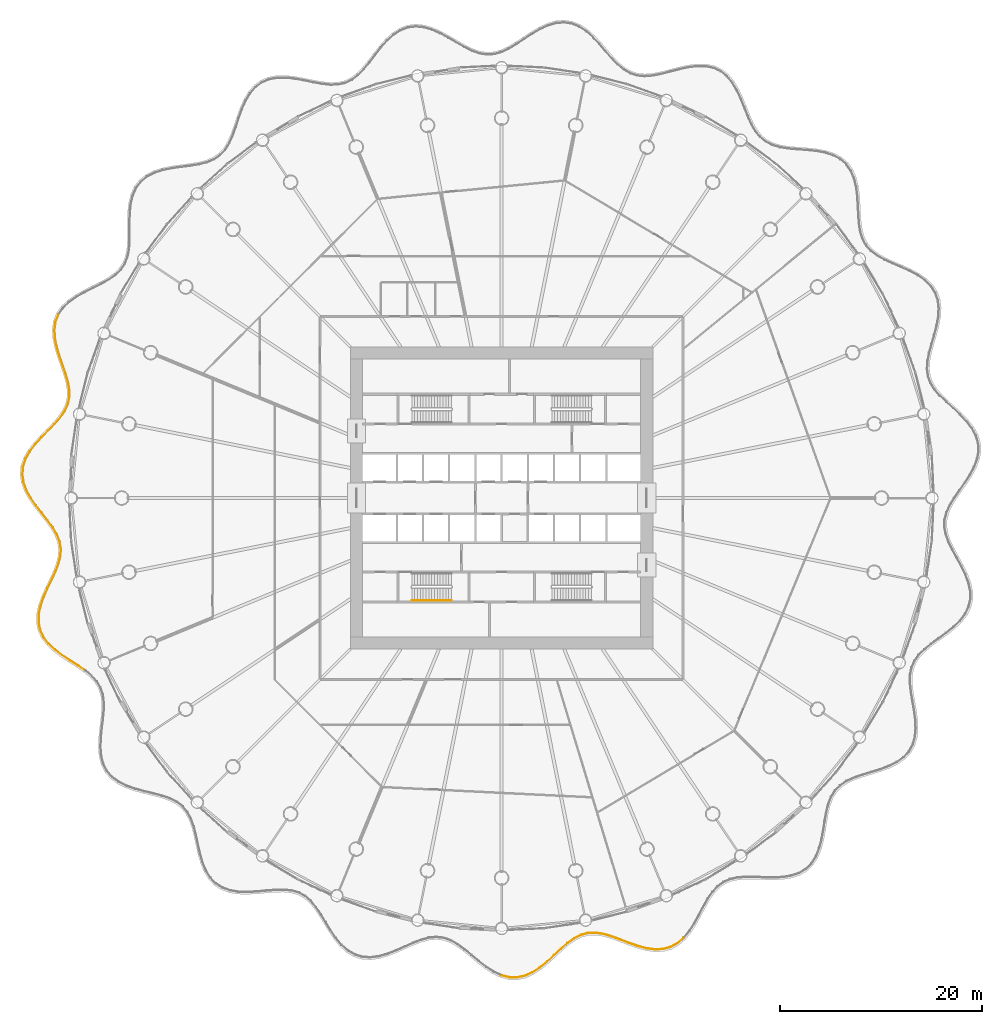
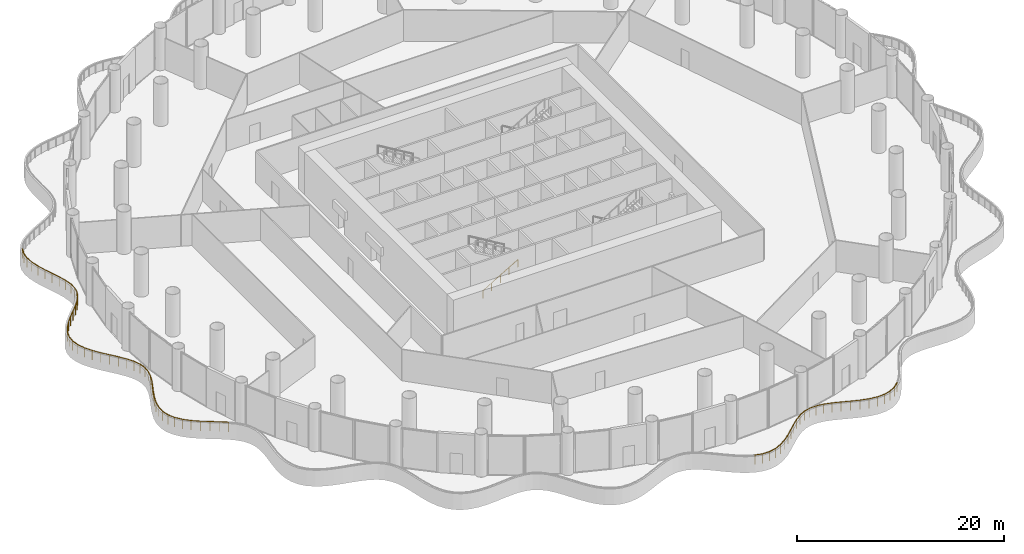
# One storey, part 29 of 35: 4 railings.
"""IFC4 building model written with IfcOpenShell, lengths in metres."""

from ifc_helpers import new_model, si_unit, direction, frame, origin, origin_2d, place, context, subcontext, project, spatial, circle, extrude, material, type_object, element, save


model = new_model("IFC4")

# Units and contexts
model_context = context("Model", 3, precision=1e-05, world=origin(), true_north=direction((0.0, 1.0)))
body_context = subcontext(model_context, "Body", "Model", "MODEL_VIEW")
ifc_project = project(units=[si_unit("LENGTHUNIT", "METRE"), si_unit("AREAUNIT", "SQUARE_METRE"), si_unit("VOLUMEUNIT", "CUBIC_METRE"), si_unit("PLANEANGLEUNIT", "RADIAN"), si_unit("MASSUNIT", "GRAM", prefix="KILO")], contexts=[model_context])

# Site, building, storey
site_placement = place(None, origin())
site = spatial("IfcSite", under=ifc_project, at=site_placement, CompositionType="ELEMENT")
building_placement = place(site_placement, origin())
building = spatial("IfcBuilding", under=site, at=building_placement, Name="Corvane Civic Tower", CompositionType="ELEMENT")
storey_placement = place(building_placement, frame((0.0, 0.0, 27.0)))
storey = spatial("IfcBuildingStorey", under=building, at=storey_placement, Name="L05", CompositionType="ELEMENT", Elevation=27.0)

# Railings
ifc_material_1 = material(Name="Steel ASTM A572 Gr 50", Category="steel")
railing_type_1 = type_object("IfcRailingType", Name="PODIUM-RL-GUARD-1100", PredefinedType="GUARDRAIL", material=ifc_material_1)
railing_1_placement = place(storey_placement, frame((-43.980712890625, 18.190185546875, 0.0)))
element("IfcRailing", 1, at=railing_1_placement, inside=storey, type_object=railing_type_1, Name="L05 ribbon guard 4", PredefinedType="GUARDRAIL", context=body_context, shape_type="SweptSolid", body=[
    extrude(circle(Radius=0.02392578125, at=origin_2d()), frame((0.0, 0.0, 1.076171875), z_axis=(-0.358675095496, -0.933462466236, 0.0), x_axis=(0.933462466236, -0.358675095496, 0.0)), (0.0, 0.0, 1.0), 0.75341796875),
    extrude(circle(Radius=0.02392578125, at=origin_2d()), frame((-0.270263671875, -0.703369140625, 1.076171875), z_axis=(-0.136068290058, -0.9906994602, 0.0), x_axis=(0.9906994602, -0.136068290058, 0.0)), (0.0, 0.0, 1.0), 0.79833984375),
    extrude(circle(Radius=0.02392578125, at=origin_2d()), frame((-0.37890625, -1.494384765625, 1.076171875), z_axis=(0.057957564445, -0.998319047561, 0.0), x_axis=(0.998319047561, 0.057957564445, 0.0)), (0.0, 0.0, 1.0), 0.842529296875),
    extrude(circle(Radius=0.02392578125, at=origin_2d()), frame((-0.330078125, -2.33544921875, 1.076171875), z_axis=(0.199589877807, -0.979879523552, 0.0), x_axis=(0.979879523552, 0.199589877807, 0.0)), (0.0, 0.0, 1.0), 0.8916015625),
    extrude(circle(Radius=0.02392578125, at=origin_2d()), frame((-0.152099609375, -3.209228515625, 1.076171875), z_axis=(0.288653579116, -0.957433606713, 0.0), x_axis=(0.957433606713, 0.288653579116, 0.0)), (0.0, 0.0, 1.0), 0.926025390625),
    extrude(circle(Radius=0.02392578125, at=origin_2d()), frame((0.115234375, -4.095947265625, 1.076171875), z_axis=(0.330466878924, -0.943817589333, 0.0), x_axis=(0.943817589333, 0.330466878924, 0.0)), (0.0, 0.0, 1.0), 0.933837890625),
    extrude(circle(Radius=0.02392578125, at=origin_2d()), frame((0.423828125, -4.977294921875, 1.076171875), z_axis=(0.328031635624, -0.944666738077, 0.0), x_axis=(0.944666738077, 0.328031635624, 0.0)), (0.0, 0.0, 1.0), 0.91015625),
    extrude(circle(Radius=0.02392578125, at=origin_2d()), frame((0.722412109375, -5.837158203125, 1.076171875), z_axis=(0.27772020154, -0.96066200594, 0.0), x_axis=(0.96066200594, 0.27772020154, 0.0)), (0.0, 0.0, 1.0), 0.85986328125),
    extrude(circle(Radius=0.02392578125, at=origin_2d()), frame((0.961181640625, -6.6630859375, 1.076171875), z_axis=(0.170060830048, -0.98543356655, 0.0), x_axis=(0.98543356655, 0.170060830048, 0.0)), (0.0, 0.0, 1.0), 0.796875),
    extrude(circle(Radius=0.02392578125, at=origin_2d()), frame((1.0966796875, -7.4482421875, 1.076171875), z_axis=(0.000328623052, -0.999999946003, 0.0), x_axis=(0.999999946003, 0.000328623052, 0.0)), (0.0, 0.0, 1.0), 0.742919921875),
    extrude(circle(Radius=0.02392578125, at=origin_2d()), frame((1.096923828125, -8.191162109375, 1.076171875), z_axis=(-0.212837667857, -0.977087573937, 0.0), x_axis=(0.977087573937, -0.212837667857, 0.0)), (0.0, 0.0, 1.0), 0.720458984375),
    extrude(circle(Radius=0.02392578125, at=origin_2d()), frame((0.943603515625, -8.89501953125, 1.076171875), z_axis=(-0.41757371867, -0.908643048439, 0.0), x_axis=(0.908643048439, -0.41757371867, 0.0)), (0.0, 0.0, 1.0), 0.74072265625),
    extrude(circle(Radius=0.02392578125, at=origin_2d()), frame((0.63427734375, -9.568115234375, 1.076171875), z_axis=(-0.56832961882, -0.822800974946, 0.0), x_axis=(0.822800974946, -0.56832961882, 0.0)), (0.0, 0.0, 1.0), 0.79345703125),
    extrude(circle(Radius=0.02392578125, at=origin_2d()), frame((0.183349609375, -10.220947265625, 1.076171875), z_axis=(-0.65775776046, -0.75322953245, 0.0), x_axis=(0.75322953245, -0.65775776046, 0.0)), (0.0, 0.0, 1.0), 0.856689453125),
    extrude(circle(Radius=0.02392578125, at=origin_2d()), frame((-0.380126953125, -10.8662109375, 1.076171875), z_axis=(-0.698857923336, -0.715260514072, 0.0), x_axis=(0.715260514072, -0.698857923336, 0.0)), (0.0, 0.0, 1.0), 0.907958984375),
    extrude(circle(Radius=0.02392578125, at=origin_2d()), frame((-1.0146484375, -11.515625, 1.076171875), z_axis=(-0.702384147199, -0.711798082158, 0.0), x_axis=(0.711798082158, -0.702384147199, 0.0)), (0.0, 0.0, 1.0), 0.93359375),
    extrude(circle(Radius=0.02392578125, at=origin_2d()), frame((-1.67041015625, -12.18017578125, 1.076171875), z_axis=(-0.672187761022, -0.740380722285, 0.0), x_axis=(0.740380722285, -0.672187761022, 0.0)), (0.0, 0.0, 1.0), 0.92724609375),
    extrude(circle(Radius=0.02392578125, at=origin_2d()), frame((-2.293701171875, -12.86669921875, 1.076171875), z_axis=(-0.603621021623, -0.797271385574, 0.0), x_axis=(0.797271385574, -0.603621021623, 0.0)), (0.0, 0.0, 1.0), 0.893798828125),
    extrude(circle(Radius=0.02392578125, at=origin_2d()), frame((-2.833251953125, -13.579345703125, 1.076171875), z_axis=(-0.486182441808, -0.873857330047, 0.0), x_axis=(0.873857330047, -0.486182441808, 0.0)), (0.0, 0.0, 1.0), 0.84521484375),
    extrude(circle(Radius=0.02392578125, at=origin_2d()), frame((-3.244140625, -14.31787109375, 1.076171875), z_axis=(-0.310823647383, -0.95046760083, 0.0), x_axis=(0.95046760083, -0.310823647383, 0.0)), (0.0, 0.0, 1.0), 0.80029296875),
    extrude(circle(Radius=0.02392578125, at=origin_2d()), frame((-3.492919921875, -15.07861328125, 1.076171875), z_axis=(-0.086183330017, -0.996279294991, 0.0), x_axis=(0.996279294991, -0.086183330017, 0.0)), (0.0, 0.0, 1.0), 0.779052734375),
    extrude(circle(Radius=0.02392578125, at=origin_2d()), frame((-3.56005859375, -15.854736328125, 1.076171875), z_axis=(0.147420434322, -0.98907391814, 0.0), x_axis=(0.98907391814, 0.147420434322, 0.0)), (0.0, 0.0, 1.0), 0.79150390625),
    extrude(circle(Radius=0.02392578125, at=origin_2d()), frame((-3.443359375, -16.6376953125, 1.076171875), z_axis=(0.344427050262, -0.938813084191, 0.0), x_axis=(0.938813084191, 0.344427050262, 0.0)), (0.0, 0.0, 1.0), 0.832275390625),
    extrude(circle(Radius=0.02392578125, at=origin_2d()), frame((-3.15673828125, -17.4189453125, 1.076171875), z_axis=(0.484771582084, -0.874640790956, 0.0), x_axis=(0.874640790956, 0.484771582084, 0.0)), (0.0, 0.0, 1.0), 0.856689453125),
    extrude(circle(Radius=0.02099609375, at=origin_2d()), origin(), (0.0, 0.0, 1.0), 1.052001953125),
    extrude(circle(Radius=0.02099609375, at=origin_2d()), frame((-0.270263671875, -0.703369140625, 0.0)), (0.0, 0.0, 1.0), 1.052001953125),
    extrude(circle(Radius=0.02099609375, at=origin_2d()), frame((-0.37890625, -1.494384765625, 0.0)), (0.0, 0.0, 1.0), 1.052001953125),
    extrude(circle(Radius=0.02099609375, at=origin_2d()), frame((-0.330078125, -2.33544921875, 0.0)), (0.0, 0.0, 1.0), 1.052001953125),
    extrude(circle(Radius=0.02099609375, at=origin_2d()), frame((-0.152099609375, -3.209228515625, 0.0)), (0.0, 0.0, 1.0), 1.052001953125),
    extrude(circle(Radius=0.02099609375, at=origin_2d()), frame((0.115234375, -4.095947265625, 0.0)), (0.0, 0.0, 1.0), 1.052001953125),
    extrude(circle(Radius=0.02099609375, at=origin_2d()), frame((0.423828125, -4.977294921875, 0.0)), (0.0, 0.0, 1.0), 1.052001953125),
    extrude(circle(Radius=0.02099609375, at=origin_2d()), frame((0.722412109375, -5.837158203125, 0.0)), (0.0, 0.0, 1.0), 1.052001953125),
    extrude(circle(Radius=0.02099609375, at=origin_2d()), frame((0.961181640625, -6.6630859375, 0.0)), (0.0, 0.0, 1.0), 1.052001953125),
    extrude(circle(Radius=0.02099609375, at=origin_2d()), frame((1.0966796875, -7.4482421875, 0.0)), (0.0, 0.0, 1.0), 1.052001953125),
    extrude(circle(Radius=0.02099609375, at=origin_2d()), frame((1.096923828125, -8.191162109375, 0.0)), (0.0, 0.0, 1.0), 1.052001953125),
    extrude(circle(Radius=0.02099609375, at=origin_2d()), frame((0.943603515625, -8.89501953125, 0.0)), (0.0, 0.0, 1.0), 1.052001953125),
    extrude(circle(Radius=0.02099609375, at=origin_2d()), frame((0.63427734375, -9.568115234375, 0.0)), (0.0, 0.0, 1.0), 1.052001953125),
    extrude(circle(Radius=0.02099609375, at=origin_2d()), frame((0.183349609375, -10.220947265625, 0.0)), (0.0, 0.0, 1.0), 1.052001953125),
    extrude(circle(Radius=0.02099609375, at=origin_2d()), frame((-0.380126953125, -10.8662109375, 0.0)), (0.0, 0.0, 1.0), 1.052001953125),
    extrude(circle(Radius=0.02099609375, at=origin_2d()), frame((-1.0146484375, -11.515625, 0.0)), (0.0, 0.0, 1.0), 1.052001953125),
    extrude(circle(Radius=0.02099609375, at=origin_2d()), frame((-1.67041015625, -12.18017578125, 0.0)), (0.0, 0.0, 1.0), 1.052001953125),
    extrude(circle(Radius=0.02099609375, at=origin_2d()), frame((-2.293701171875, -12.86669921875, 0.0)), (0.0, 0.0, 1.0), 1.052001953125),
    extrude(circle(Radius=0.02099609375, at=origin_2d()), frame((-2.833251953125, -13.579345703125, 0.0)), (0.0, 0.0, 1.0), 1.052001953125),
    extrude(circle(Radius=0.02099609375, at=origin_2d()), frame((-3.244140625, -14.31787109375, 0.0)), (0.0, 0.0, 1.0), 1.052001953125),
    extrude(circle(Radius=0.02099609375, at=origin_2d()), frame((-3.492919921875, -15.07861328125, 0.0)), (0.0, 0.0, 1.0), 1.052001953125),
    extrude(circle(Radius=0.02099609375, at=origin_2d()), frame((-3.56005859375, -15.854736328125, 0.0)), (0.0, 0.0, 1.0), 1.052001953125),
    extrude(circle(Radius=0.02099609375, at=origin_2d()), frame((-3.443359375, -16.6376953125, 0.0)), (0.0, 0.0, 1.0), 1.052001953125),
    extrude(circle(Radius=0.02099609375, at=origin_2d()), frame((-3.15673828125, -17.4189453125, 0.0)), (0.0, 0.0, 1.0), 1.052001953125),
    extrude(circle(Radius=0.02099609375, at=origin_2d()), frame((-2.741455078125, -18.168212890625, 0.0)), (0.0, 0.0, 1.0), 1.052001953125),
])
railing_2_placement = place(storey_placement, frame((-46.69580078125, -0.0205078125, 0.0)))
element("IfcRailing", 2, at=railing_2_placement, inside=storey, type_object=railing_type_1, Name="L05 ribbon guard 5", PredefinedType="GUARDRAIL", context=body_context, shape_type="SweptSolid", body=[
    extrude(circle(Radius=0.02392578125, at=origin_2d()), frame((0.0, 0.0, 1.076171875), z_axis=(0.571375795207, -0.820688552772, 0.0), x_axis=(0.820688552772, 0.571375795207, 0.0)), (0.0, 0.0, 1.0), 0.89599609375),
    extrude(circle(Radius=0.02392578125, at=origin_2d()), frame((0.511962890625, -0.7353515625, 1.076171875), z_axis=(0.614771968679, -0.788704904592, 0.0), x_axis=(0.788704904592, 0.614771968679, 0.0)), (0.0, 0.0, 1.0), 0.934814453125),
    extrude(circle(Radius=0.02392578125, at=origin_2d()), frame((1.086669921875, -1.47265625, 1.076171875), z_axis=(0.620532538307, -0.784180699139, 0.0), x_axis=(0.784180699139, 0.620532538307, 0.0)), (0.0, 0.0, 1.0), 0.91748046875),
    extrude(circle(Radius=0.02392578125, at=origin_2d()), frame((1.656005859375, -2.192138671875, 1.076171875), z_axis=(0.587339096763, -0.809340957455, 0.0), x_axis=(0.809340957455, 0.587339096763, 0.0)), (0.0, 0.0, 1.0), 0.8720703125),
    extrude(circle(Radius=0.02392578125, at=origin_2d()), frame((2.168212890625, -2.89794921875, 1.076171875), z_axis=(0.505649896337, -0.862738768304, 0.0), x_axis=(0.862738768304, 0.505649896337, 0.0)), (0.0, 0.0, 1.0), 0.810302734375),
    extrude(circle(Radius=0.02392578125, at=origin_2d()), frame((2.577880859375, -3.596923828125, 1.076171875), z_axis=(0.362869121859, -0.931840115257, 0.0), x_axis=(0.931840115257, 0.362869121859, 0.0)), (0.0, 0.0, 1.0), 0.752197265625),
    extrude(circle(Radius=0.02392578125, at=origin_2d()), frame((2.850830078125, -4.2978515625, 1.076171875), z_axis=(0.162698350099, -0.986675857045, 0.0), x_axis=(0.986675857045, 0.162698350099, 0.0)), (0.0, 0.0, 1.0), 0.7216796875),
    extrude(circle(Radius=0.02392578125, at=origin_2d()), frame((2.96826171875, -5.010009765625, 1.076171875), z_axis=(-0.056945469186, -0.998377290176, 0.0), x_axis=(0.998377290176, -0.056945469186, 0.0)), (0.0, 0.0, 1.0), 0.733154296875),
    extrude(circle(Radius=0.02392578125, at=origin_2d()), frame((2.926513671875, -5.741943359375, 1.076171875), z_axis=(-0.239885475498, -0.970801194192, 0.0), x_axis=(0.970801194192, -0.239885475498, 0.0)), (0.0, 0.0, 1.0), 0.780517578125),
    extrude(circle(Radius=0.02392578125, at=origin_2d()), frame((2.7392578125, -6.499755859375, 1.076171875), z_axis=(-0.359987220664, -0.93295723426, 0.0), x_axis=(0.93295723426, -0.359987220664, 0.0)), (0.0, 0.0, 1.0), 0.84375),
    extrude(circle(Radius=0.02392578125, at=origin_2d()), frame((2.435546875, -7.286865234375, 1.076171875), z_axis=(-0.421948777942, -0.906619671524, 0.0), x_axis=(0.906619671524, -0.421948777942, 0.0)), (0.0, 0.0, 1.0), 0.899169921875),
    extrude(circle(Radius=0.02392578125, at=origin_2d()), frame((2.05615234375, -8.10205078125, 1.076171875), z_axis=(-0.435842110154, -0.900023141378, 0.0), x_axis=(0.900023141378, -0.435842110154, 0.0)), (0.0, 0.0, 1.0), 0.930419921875),
    extrude(circle(Radius=0.02392578125, at=origin_2d()), frame((1.650634765625, -8.939453125, 1.076171875), z_axis=(-0.406819340059, -0.913508634088, 0.0), x_axis=(0.913508634088, -0.406819340059, 0.0)), (0.0, 0.0, 1.0), 0.931396484375),
    extrude(circle(Radius=0.02392578125, at=origin_2d()), frame((1.271728515625, -9.790283203125, 1.076171875), z_axis=(-0.333782049108, -0.942650276451, 0.0), x_axis=(0.942650276451, -0.333782049108, 0.0)), (0.0, 0.0, 1.0), 0.902587890625),
    extrude(circle(Radius=0.02392578125, at=origin_2d()), frame((0.970458984375, -10.64111328125, 1.076171875), z_axis=(-0.209373242359, -0.977835796739, 0.0), x_axis=(0.977835796739, -0.209373242359, 0.0)), (0.0, 0.0, 1.0), 0.85595703125),
    extrude(circle(Radius=0.02392578125, at=origin_2d()), frame((0.791259765625, -11.47802734375, 1.076171875), z_axis=(-0.029603218317, -0.999561728692, 0.0), x_axis=(0.999561728692, -0.029603218317, 0.0)), (0.0, 0.0, 1.0), 0.80810546875),
    extrude(circle(Radius=0.02392578125, at=origin_2d()), frame((0.767333984375, -12.285888671875, 1.076171875), z_axis=(0.192928093659, -0.981212897733, 0.0), x_axis=(0.981212897733, 0.192928093659, 0.0)), (0.0, 0.0, 1.0), 0.78076171875),
    extrude(circle(Radius=0.02392578125, at=origin_2d()), frame((0.91796875, -13.052001953125, 1.076171875), z_axis=(0.417659549291, -0.908603599424, 0.0), x_axis=(0.908603599424, 0.417659549291, 0.0)), (0.0, 0.0, 1.0), 0.7861328125),
    extrude(circle(Radius=0.02392578125, at=origin_2d()), frame((1.246337890625, -13.766357421875, 1.076171875), z_axis=(0.599762443872, -0.800178111998, 0.0), x_axis=(0.800178111998, 0.599762443872, 0.0)), (0.0, 0.0, 1.0), 0.822265625),
    extrude(circle(Radius=0.02392578125, at=origin_2d()), frame((1.739501953125, -14.42431640625, 1.076171875), z_axis=(0.723304663882, -0.690529045882, 0.0), x_axis=(0.690529045882, 0.723304663882, 0.0)), (0.0, 0.0, 1.0), 0.87158203125),
    extrude(circle(Radius=0.02392578125, at=origin_2d()), frame((2.369873046875, -15.026123046875, 1.076171875), z_axis=(0.796655807084, -0.604433226286, 0.0), x_axis=(0.604433226286, 0.796655807084, 0.0)), (0.0, 0.0, 1.0), 0.91455078125),
    extrude(circle(Radius=0.02392578125, at=origin_2d()), frame((3.098388671875, -15.578857421875, 1.076171875), z_axis=(0.83337465596, -0.552708497133, 0.0), x_axis=(0.552708497133, 0.83337465596, 0.0)), (0.0, 0.0, 1.0), 0.934326171875),
    extrude(circle(Radius=0.02392578125, at=origin_2d()), frame((3.876953125, -16.09521484375, 1.076171875), z_axis=(0.842822766724, -0.53819121499, 0.0), x_axis=(0.53819121499, 0.842822766724, 0.0)), (0.0, 0.0, 1.0), 0.924072265625),
    extrude(circle(Radius=0.02392578125, at=origin_2d()), frame((4.65576171875, -16.592529296875, 1.076171875), z_axis=(0.82573958795, -0.564051533898, 0.0), x_axis=(0.564051533898, 0.82573958795, 0.0)), (0.0, 0.0, 1.0), 0.8583984375),
    extrude(circle(Radius=0.02099609375, at=origin_2d()), origin(), (0.0, 0.0, 1.0), 1.052001953125),
    extrude(circle(Radius=0.02099609375, at=origin_2d()), frame((0.511962890625, -0.7353515625, 0.0)), (0.0, 0.0, 1.0), 1.052001953125),
    extrude(circle(Radius=0.02099609375, at=origin_2d()), frame((1.086669921875, -1.47265625, 0.0)), (0.0, 0.0, 1.0), 1.052001953125),
    extrude(circle(Radius=0.02099609375, at=origin_2d()), frame((1.656005859375, -2.192138671875, 0.0)), (0.0, 0.0, 1.0), 1.052001953125),
    extrude(circle(Radius=0.02099609375, at=origin_2d()), frame((2.168212890625, -2.89794921875, 0.0)), (0.0, 0.0, 1.0), 1.052001953125),
    extrude(circle(Radius=0.02099609375, at=origin_2d()), frame((2.577880859375, -3.596923828125, 0.0)), (0.0, 0.0, 1.0), 1.052001953125),
    extrude(circle(Radius=0.02099609375, at=origin_2d()), frame((2.850830078125, -4.2978515625, 0.0)), (0.0, 0.0, 1.0), 1.052001953125),
    extrude(circle(Radius=0.02099609375, at=origin_2d()), frame((2.96826171875, -5.010009765625, 0.0)), (0.0, 0.0, 1.0), 1.052001953125),
    extrude(circle(Radius=0.02099609375, at=origin_2d()), frame((2.926513671875, -5.741943359375, 0.0)), (0.0, 0.0, 1.0), 1.052001953125),
    extrude(circle(Radius=0.02099609375, at=origin_2d()), frame((2.7392578125, -6.499755859375, 0.0)), (0.0, 0.0, 1.0), 1.052001953125),
    extrude(circle(Radius=0.02099609375, at=origin_2d()), frame((2.435546875, -7.286865234375, 0.0)), (0.0, 0.0, 1.0), 1.052001953125),
    extrude(circle(Radius=0.02099609375, at=origin_2d()), frame((2.05615234375, -8.10205078125, 0.0)), (0.0, 0.0, 1.0), 1.052001953125),
    extrude(circle(Radius=0.02099609375, at=origin_2d()), frame((1.650634765625, -8.939453125, 0.0)), (0.0, 0.0, 1.0), 1.052001953125),
    extrude(circle(Radius=0.02099609375, at=origin_2d()), frame((1.271728515625, -9.790283203125, 0.0)), (0.0, 0.0, 1.0), 1.052001953125),
    extrude(circle(Radius=0.02099609375, at=origin_2d()), frame((0.970458984375, -10.64111328125, 0.0)), (0.0, 0.0, 1.0), 1.052001953125),
    extrude(circle(Radius=0.02099609375, at=origin_2d()), frame((0.791259765625, -11.47802734375, 0.0)), (0.0, 0.0, 1.0), 1.052001953125),
    extrude(circle(Radius=0.02099609375, at=origin_2d()), frame((0.767333984375, -12.285888671875, 0.0)), (0.0, 0.0, 1.0), 1.052001953125),
    extrude(circle(Radius=0.02099609375, at=origin_2d()), frame((0.91796875, -13.052001953125, 0.0)), (0.0, 0.0, 1.0), 1.052001953125),
    extrude(circle(Radius=0.02099609375, at=origin_2d()), frame((1.246337890625, -13.766357421875, 0.0)), (0.0, 0.0, 1.0), 1.052001953125),
    extrude(circle(Radius=0.02099609375, at=origin_2d()), frame((1.739501953125, -14.42431640625, 0.0)), (0.0, 0.0, 1.0), 1.052001953125),
    extrude(circle(Radius=0.02099609375, at=origin_2d()), frame((2.369873046875, -15.026123046875, 0.0)), (0.0, 0.0, 1.0), 1.052001953125),
    extrude(circle(Radius=0.02099609375, at=origin_2d()), frame((3.098388671875, -15.578857421875, 0.0)), (0.0, 0.0, 1.0), 1.052001953125),
    extrude(circle(Radius=0.02099609375, at=origin_2d()), frame((3.876953125, -16.09521484375, 0.0)), (0.0, 0.0, 1.0), 1.052001953125),
    extrude(circle(Radius=0.02099609375, at=origin_2d()), frame((4.65576171875, -16.592529296875, 0.0)), (0.0, 0.0, 1.0), 1.052001953125),
    extrude(circle(Radius=0.02099609375, at=origin_2d()), frame((5.364501953125, -17.07666015625, 0.0)), (0.0, 0.0, 1.0), 1.052001953125),
])
railing_3_placement = place(storey_placement, frame((0.0244140625, -47.375, 0.0)))
element("IfcRailing", 3, at=railing_3_placement, inside=storey, type_object=railing_type_1, Name="L05 ribbon guard 9", PredefinedType="GUARDRAIL", context=body_context, shape_type="SweptSolid", body=[
    extrude(circle(Radius=0.02392578125, at=origin_2d()), frame((0.0, 0.0, 1.076171875), z_axis=(0.970290184858, -0.241944119929, 0.0), x_axis=(0.241944119929, 0.970290184858, 0.0)), (0.0, 0.0, 1.0), 0.777099609375),
    extrude(circle(Radius=0.02392578125, at=origin_2d()), frame((0.75390625, -0.18798828125, 1.076171875), z_axis=(0.999862095547, -0.016606922928, 0.0), x_axis=(0.016606922928, 0.999862095547, 0.0)), (0.0, 0.0, 1.0), 0.779052734375),
    extrude(circle(Radius=0.02392578125, at=origin_2d()), frame((1.532958984375, -0.200927734375, 1.076171875), z_axis=(0.976136155054, 0.217159404115, 0.0), x_axis=(-0.217159404115, 0.976136155054, 0.0)), (0.0, 0.0, 1.0), 0.790283203125),
    extrude(circle(Radius=0.02392578125, at=origin_2d()), frame((2.304443359375, -0.029296875, 1.076171875), z_axis=(0.91106055663, 0.412272558088, 0.0), x_axis=(-0.412272558088, 0.91106055663, 0.0)), (0.0, 0.0, 1.0), 0.82958984375),
    extrude(circle(Radius=0.02392578125, at=origin_2d()), frame((3.060302734375, 0.312744140625, 1.076171875), z_axis=(0.835494240479, 0.549499203027, 0.0), x_axis=(-0.549499203027, 0.835494240479, 0.0)), (0.0, 0.0, 1.0), 0.879150390625),
    extrude(circle(Radius=0.02392578125, at=origin_2d()), frame((3.794921875, 0.7958984375, 1.076171875), z_axis=(0.77324695858, 0.634104992132, 0.0), x_axis=(-0.634104992132, 0.77324695858, 0.0)), (0.0, 0.0, 1.0), 0.91943359375),
    extrude(circle(Radius=0.02392578125, at=origin_2d()), frame((4.505859375, 1.37890625, 1.076171875), z_axis=(0.736503334058, 0.676433913195, 0.0), x_axis=(-0.676433913195, 0.736503334058, 0.0)), (0.0, 0.0, 1.0), 0.934814453125),
    extrude(circle(Radius=0.02392578125, at=origin_2d()), frame((5.1943359375, 2.01123046875, 1.076171875), z_axis=(0.729578615129, 0.68389695448, 0.0), x_axis=(-0.68389695448, 0.729578615129, 0.0)), (0.0, 0.0, 1.0), 0.919189453125),
    extrude(circle(Radius=0.02392578125, at=origin_2d()), frame((5.864990234375, 2.639892578125, 1.076171875), z_axis=(0.755937620753, 0.654643653853, 0.0), x_axis=(-0.654643653853, 0.755937620753, 0.0)), (0.0, 0.0, 1.0), 0.875),
    extrude(circle(Radius=0.02392578125, at=origin_2d()), frame((6.5263671875, 3.212646484375, 1.076171875), z_axis=(0.814138797506, 0.580670318162, 0.0), x_axis=(-0.580670318162, 0.814138797506, 0.0)), (0.0, 0.0, 1.0), 0.8134765625),
    extrude(circle(Radius=0.02392578125, at=origin_2d()), frame((7.188720703125, 3.68505859375, 1.076171875), z_axis=(0.894233059846, 0.447601647315, 0.0), x_axis=(-0.447601647315, 0.894233059846, 0.0)), (0.0, 0.0, 1.0), 0.7548828125),
    extrude(circle(Radius=0.02392578125, at=origin_2d()), frame((7.86376953125, 4.02294921875, 1.076171875), z_axis=(0.967065779781, 0.254526575384, 0.0), x_axis=(-0.254526575384, 0.967065779781, 0.0)), (0.0, 0.0, 1.0), 0.72216796875),
    extrude(circle(Radius=0.02392578125, at=origin_2d()), frame((8.562255859375, 4.206787109375, 1.076171875), z_axis=(0.999313461415, 0.037048695463, 0.0), x_axis=(-0.037048695463, 0.999313461415, 0.0)), (0.0, 0.0, 1.0), 0.7314453125),
    extrude(circle(Radius=0.02392578125, at=origin_2d()), frame((9.293212890625, 4.23388671875, 1.076171875), z_axis=(0.988581250341, -0.150688790144, 0.0), x_axis=(0.150688790144, 0.988581250341, 0.0)), (0.0, 0.0, 1.0), 0.777587890625),
    extrude(circle(Radius=0.02392578125, at=origin_2d()), frame((10.06201171875, 4.11669921875, 1.076171875), z_axis=(0.96089647184, -0.2769078735, 0.0), x_axis=(0.2769078735, 0.96089647184, 0.0)), (0.0, 0.0, 1.0), 0.84033203125),
    extrude(circle(Radius=0.02392578125, at=origin_2d()), frame((10.869384765625, 3.884033203125, 1.076171875), z_axis=(0.939107851314, -0.343622530693, 0.0), x_axis=(0.343622530693, 0.939107851314, 0.0)), (0.0, 0.0, 1.0), 0.896728515625),
    extrude(circle(Radius=0.02392578125, at=origin_2d()), frame((11.71142578125, 3.575927734375, 1.076171875), z_axis=(0.932864318384, -0.360227932683, 0.0), x_axis=(0.360227932683, 0.932864318384, 0.0)), (0.0, 0.0, 1.0), 0.929931640625),
    extrude(circle(Radius=0.02392578125, at=origin_2d()), frame((12.578857421875, 3.240966796875, 1.076171875), z_axis=(0.943009681152, -0.332765294544, 0.0), x_axis=(0.332765294544, 0.943009681152, 0.0)), (0.0, 0.0, 1.0), 0.931884765625),
    extrude(circle(Radius=0.02392578125, at=origin_2d()), frame((13.45751953125, 2.930908203125, 1.076171875), z_axis=(0.965587098839, -0.26007990033, 0.0), x_axis=(0.26007990033, 0.965587098839, 0.0)), (0.0, 0.0, 1.0), 0.905029296875),
    extrude(circle(Radius=0.02392578125, at=origin_2d()), frame((14.331298828125, 2.695556640625, 1.076171875), z_axis=(0.990719089556, -0.135925294147, 0.0), x_axis=(0.135925294147, 0.990719089556, 0.0)), (0.0, 0.0, 1.0), 0.858642578125),
    extrude(circle(Radius=0.02392578125, at=origin_2d()), frame((15.181884765625, 2.578857421875, 1.076171875), z_axis=(0.99909774518, 0.042469937314, 0.0), x_axis=(-0.042469937314, 0.99909774518, 0.0)), (0.0, 0.0, 1.0), 0.810546875),
    extrude(circle(Radius=0.02392578125, at=origin_2d()), frame((15.99169921875, 2.61328125, 1.076171875), z_axis=(0.9652739935, 0.261239578688, 0.0), x_axis=(-0.261239578688, 0.9652739935, 0.0)), (0.0, 0.0, 1.0), 0.78125),
    extrude(circle(Radius=0.02392578125, at=origin_2d()), frame((16.745849609375, 2.8173828125, 1.076171875), z_axis=(0.876871606406, 0.480724646632, 0.0), x_axis=(-0.480724646632, 0.876871606406, 0.0)), (0.0, 0.0, 1.0), 0.78515625),
    extrude(circle(Radius=0.02392578125, at=origin_2d()), frame((17.434326171875, 3.19482421875, 1.076171875), z_axis=(0.754552606339, 0.656239563168, 0.0), x_axis=(-0.656239563168, 0.754552606339, 0.0)), (0.0, 0.0, 1.0), 0.794677734375),
    extrude(circle(Radius=0.02099609375, at=origin_2d()), origin(), (0.0, 0.0, 1.0), 1.052001953125),
    extrude(circle(Radius=0.02099609375, at=origin_2d()), frame((0.75390625, -0.18798828125, 0.0)), (0.0, 0.0, 1.0), 1.052001953125),
    extrude(circle(Radius=0.02099609375, at=origin_2d()), frame((1.532958984375, -0.200927734375, 0.0)), (0.0, 0.0, 1.0), 1.052001953125),
    extrude(circle(Radius=0.02099609375, at=origin_2d()), frame((2.304443359375, -0.029296875, 0.0)), (0.0, 0.0, 1.0), 1.052001953125),
    extrude(circle(Radius=0.02099609375, at=origin_2d()), frame((3.060302734375, 0.312744140625, 0.0)), (0.0, 0.0, 1.0), 1.052001953125),
    extrude(circle(Radius=0.02099609375, at=origin_2d()), frame((3.794921875, 0.7958984375, 0.0)), (0.0, 0.0, 1.0), 1.052001953125),
    extrude(circle(Radius=0.02099609375, at=origin_2d()), frame((4.505859375, 1.37890625, 0.0)), (0.0, 0.0, 1.0), 1.052001953125),
    extrude(circle(Radius=0.02099609375, at=origin_2d()), frame((5.1943359375, 2.01123046875, 0.0)), (0.0, 0.0, 1.0), 1.052001953125),
    extrude(circle(Radius=0.02099609375, at=origin_2d()), frame((5.864990234375, 2.639892578125, 0.0)), (0.0, 0.0, 1.0), 1.052001953125),
    extrude(circle(Radius=0.02099609375, at=origin_2d()), frame((6.5263671875, 3.212646484375, 0.0)), (0.0, 0.0, 1.0), 1.052001953125),
    extrude(circle(Radius=0.02099609375, at=origin_2d()), frame((7.188720703125, 3.68505859375, 0.0)), (0.0, 0.0, 1.0), 1.052001953125),
    extrude(circle(Radius=0.02099609375, at=origin_2d()), frame((7.86376953125, 4.02294921875, 0.0)), (0.0, 0.0, 1.0), 1.052001953125),
    extrude(circle(Radius=0.02099609375, at=origin_2d()), frame((8.562255859375, 4.206787109375, 0.0)), (0.0, 0.0, 1.0), 1.052001953125),
    extrude(circle(Radius=0.02099609375, at=origin_2d()), frame((9.293212890625, 4.23388671875, 0.0)), (0.0, 0.0, 1.0), 1.052001953125),
    extrude(circle(Radius=0.02099609375, at=origin_2d()), frame((10.06201171875, 4.11669921875, 0.0)), (0.0, 0.0, 1.0), 1.052001953125),
    extrude(circle(Radius=0.02099609375, at=origin_2d()), frame((10.869384765625, 3.884033203125, 0.0)), (0.0, 0.0, 1.0), 1.052001953125),
    extrude(circle(Radius=0.02099609375, at=origin_2d()), frame((11.71142578125, 3.575927734375, 0.0)), (0.0, 0.0, 1.0), 1.052001953125),
    extrude(circle(Radius=0.02099609375, at=origin_2d()), frame((12.578857421875, 3.240966796875, 0.0)), (0.0, 0.0, 1.0), 1.052001953125),
    extrude(circle(Radius=0.02099609375, at=origin_2d()), frame((13.45751953125, 2.930908203125, 0.0)), (0.0, 0.0, 1.0), 1.052001953125),
    extrude(circle(Radius=0.02099609375, at=origin_2d()), frame((14.331298828125, 2.695556640625, 0.0)), (0.0, 0.0, 1.0), 1.052001953125),
    extrude(circle(Radius=0.02099609375, at=origin_2d()), frame((15.181884765625, 2.578857421875, 0.0)), (0.0, 0.0, 1.0), 1.052001953125),
    extrude(circle(Radius=0.02099609375, at=origin_2d()), frame((15.99169921875, 2.61328125, 0.0)), (0.0, 0.0, 1.0), 1.052001953125),
    extrude(circle(Radius=0.02099609375, at=origin_2d()), frame((16.745849609375, 2.8173828125, 0.0)), (0.0, 0.0, 1.0), 1.052001953125),
    extrude(circle(Radius=0.02099609375, at=origin_2d()), frame((17.434326171875, 3.19482421875, 0.0)), (0.0, 0.0, 1.0), 1.052001953125),
    extrude(circle(Radius=0.02099609375, at=origin_2d()), frame((18.033935546875, 3.71630859375, 0.0)), (0.0, 0.0, 1.0), 1.052001953125),
])
ifc_material_2 = material(Name="Steel ASTM A572 Gr 50", Category="steel")
railing_type_2 = type_object("IfcRailingType", Name="ST-HANDRAIL-900", PredefinedType="HANDRAIL", material=ifc_material_2)
railing_4_placement = place(storey_placement, frame((-8.89990234375, -10.14990234375, 0.166748046875)))
element("IfcRailing", 4, at=railing_4_placement, inside=storey, type_object=railing_type_2, Name="L05 ST3 stair handrail 1", PredefinedType="HANDRAIL", context=body_context, shape_type="SweptSolid", body=[
    extrude(circle(Radius=0.02392578125, at=origin_2d()), frame((0.0, 0.0, 0.8759765625), z_axis=(0.859296244711, 0.0, 0.511478214419), x_axis=(0.0, 1.0, 0.0)), (0.0, 0.0, 1.0), 4.561767578125),
    extrude(circle(Radius=0.02099609375, at=origin_2d()), origin(), (0.0, 0.0, 1.0), 0.851806640625),
    extrude(circle(Radius=0.02099609375, at=origin_2d()), frame((0.97998046875, 0.0, 0.583251953125)), (0.0, 0.0, 1.0), 0.851806640625),
    extrude(circle(Radius=0.02099609375, at=origin_2d()), frame((1.9599609375, 0.0, 1.16650390625)), (0.0, 0.0, 1.0), 0.851806640625),
    extrude(circle(Radius=0.02099609375, at=origin_2d()), frame((2.93994140625, 0.0, 1.75)), (0.0, 0.0, 1.0), 0.851806640625),
    extrude(circle(Radius=0.02099609375, at=origin_2d()), frame((3.919921875, 0.0, 2.333251953125)), (0.0, 0.0, 1.0), 0.851806640625),
])

save(model, "model.ifc")
